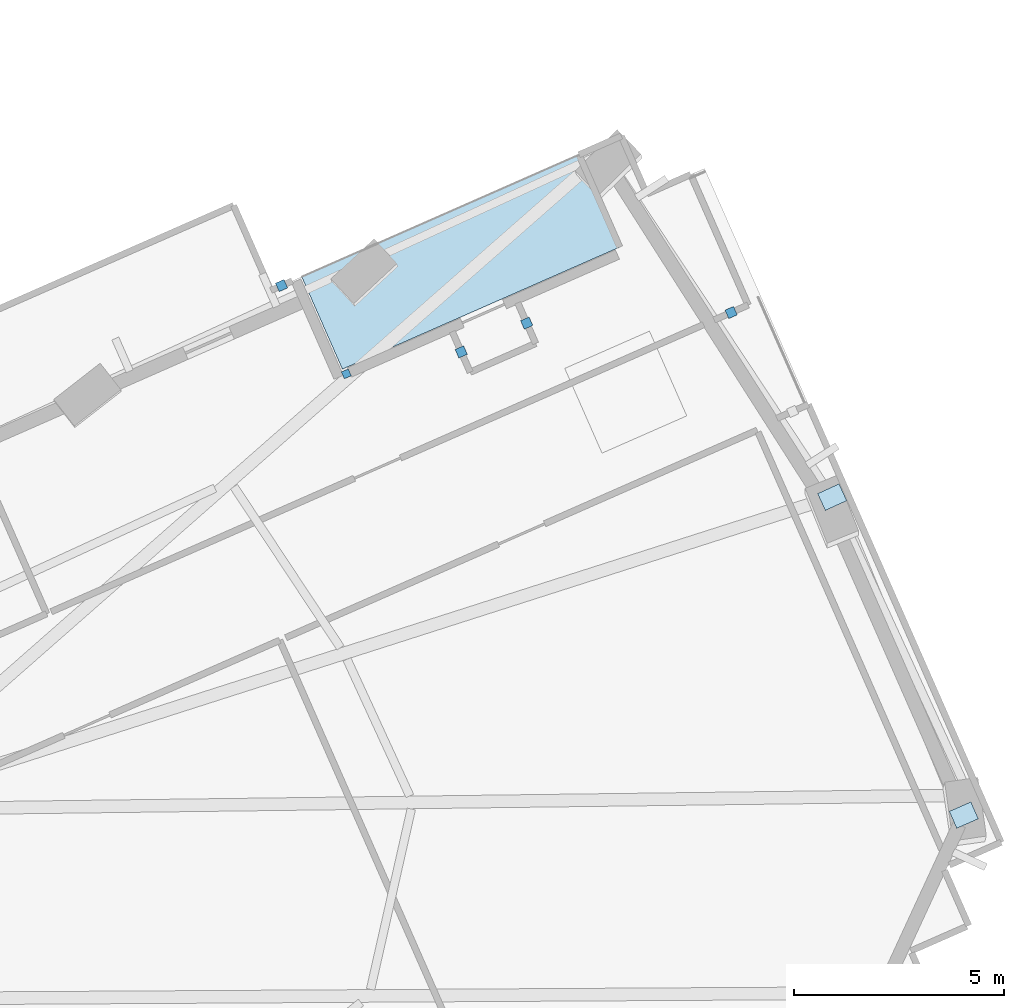
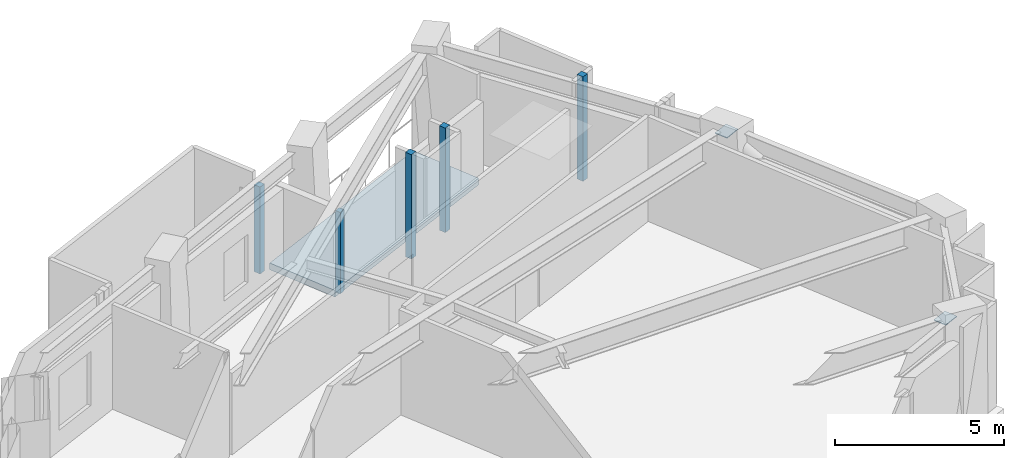
# One storey, part 6 of 15: 7 plates, 1 slab.
"""IFC4 building model written with IfcOpenShell, lengths in metres."""

import ifcopenshell
import ifcopenshell.guid

model = None  # the IFC model being written
_history = None  # IfcOwnerHistory: only IFC2X3 demands one
_inside = {}  # id of a spatial element -> (the spatial element, [elements in it])
_under = {}  # id of a project, library or spatial element -> (it, [spatial elements below it])
_declared = {}  # id of a project -> (the project, [libraries it declares])
_typed = {}  # id of a type object -> (the type object, [elements of that type])
_made_of = {}  # id of a material, layer set ... -> (it, [elements and type objects made of it])


def new_model(schema):
    """Start an empty IFC model of exactly this schema.

    Asked for "IFC4X3", IfcOpenShell would pick the latest addendum, in which some entities
    have other attributes; the version numbers below select the first issue.
    IFC2X3 requires an IfcOwnerHistory on every rooted entity: one is made here for all.
    """
    global model, _history
    if schema == "IFC4X3":
        model = ifcopenshell.file(schema_version=(4, 3, 0, 0))
    else:
        model = ifcopenshell.file(schema=schema)
    _inside.clear()
    _under.clear()
    _declared.clear()
    _typed.clear()
    _made_of.clear()
    _history = None
    if model.schema == "IFC2X3":
        org = make("IfcOrganization", Name="unknown")
        user = make(
            "IfcPersonAndOrganization",
            ThePerson=make("IfcPerson", FamilyName="unknown"),
            TheOrganization=org,
        )
        app = make(
            "IfcApplication",
            ApplicationDeveloper=org,
            Version="unknown",
            ApplicationFullName="unknown",
            ApplicationIdentifier="unknown",
        )
        _history = make(
            "IfcOwnerHistory",
            OwningUser=user,
            OwningApplication=app,
            ChangeAction="ADDED",
            CreationDate=0,
        )
    return model


def make(cls, **values):
    """One entity of the class cls with the attributes given. An attribute that is None is left unset."""
    return model.create_entity(
        cls, **{name: value for name, value in values.items() if value is not None}
    )


def rooted(cls, **values):
    """An entity with a GlobalId (a new one), such as an element, a storey or a relation."""
    return make(cls, GlobalId=ifcopenshell.guid.new(), OwnerHistory=_history, **values)


def si_unit(unit_type, name, prefix=None):
    """IfcSIUnit, for example si_unit("LENGTHUNIT", "METRE", prefix="MILLI")."""
    return make("IfcSIUnit", UnitType=unit_type, Prefix=prefix, Name=name)


def assignment(units):
    """IfcUnitAssignment: the units of a project."""
    return None if units is None else make("IfcUnitAssignment", Units=units)


def point(xyz):
    """IfcCartesianPoint."""
    return None if xyz is None else make("IfcCartesianPoint", Coordinates=xyz)


def direction(xyz):
    """IfcDirection."""
    return None if xyz is None else make("IfcDirection", DirectionRatios=xyz)


def frame(location, z_axis=None, x_axis=None):
    """IfcAxis2Placement3D, a coordinate frame: its origin and axes. An axis left out is left unset."""
    return make(
        "IfcAxis2Placement3D",
        Location=point(location),
        Axis=direction(z_axis),
        RefDirection=direction(x_axis),
    )


def frame_2d(location, x_axis=None):
    """IfcAxis2Placement2D, a coordinate frame in the plane: its origin and x axis."""
    return make(
        "IfcAxis2Placement2D", Location=point(location), RefDirection=direction(x_axis)
    )


def origin():
    """The frame at (0, 0, 0) with its axes left unset."""
    return frame((0.0, 0.0, 0.0))


def origin_2d():
    """The frame at (0, 0) in the plane with its x axis left unset."""
    return frame_2d((0.0, 0.0))


def place(relative_to, where):
    """IfcLocalPlacement: puts the frame where relative to a parent placement (None: the world)."""
    return make(
        "IfcLocalPlacement", PlacementRelTo=relative_to, RelativePlacement=where
    )


def context(
    kind, dimensions, precision=None, world=None, true_north=None, identifier=None
):
    """IfcGeometricRepresentationContext, for example the 3D "Model" context."""
    return make(
        "IfcGeometricRepresentationContext",
        ContextIdentifier=identifier,
        ContextType=kind,
        CoordinateSpaceDimension=dimensions,
        Precision=precision,
        WorldCoordinateSystem=world,
        TrueNorth=true_north,
    )


def subcontext(parent, identifier, kind, view, scale=None):
    """IfcGeometricRepresentationSubContext, for example "Body" below "Model"."""
    return make(
        "IfcGeometricRepresentationSubContext",
        ContextIdentifier=identifier,
        ContextType=kind,
        ParentContext=parent,
        TargetScale=scale,
        TargetView=view,
    )


def project(units=None, contexts=None):
    """IfcProject with its units and contexts."""
    return rooted(
        "IfcProject",
        Name="project",
        RepresentationContexts=contexts,
        UnitsInContext=assignment(units),
    )


def spatial(cls, under=None, at=None, **own):
    """A site, building, storey or space (cls), placed at a placement, below another one or the project."""
    s = rooted(cls, ObjectPlacement=at, **own)
    if under is not None:
        _under.setdefault(under.id(), (under, []))[1].append(s)
    return s


def polyline(points):
    """IfcPolyline through the points."""
    return make("IfcPolyline", Points=[point(p) for p in points])


def profile(cls, at=None, kind="AREA", **sizes):
    """A parametric profile (cls). Its sizes go by their IFC names, for example OverallWidth=200.0."""
    return make(cls, ProfileType=kind, Position=at, **sizes)


def rectangle(**sizes):
    """IfcRectangleProfileDef."""
    return profile("IfcRectangleProfileDef", **sizes)


def outline(outer, holes=None, kind="AREA"):
    """IfcArbitraryClosedProfileDef: a profile drawn as a closed curve; with holes, ...WithVoids."""
    if holes is None:
        return make("IfcArbitraryClosedProfileDef", ProfileType=kind, OuterCurve=outer)
    return make(
        "IfcArbitraryProfileDefWithVoids",
        ProfileType=kind,
        OuterCurve=outer,
        InnerCurves=holes,
    )


def extrude(swept, where, along, depth):
    """IfcExtrudedAreaSolid: the profile swept, set in the frame where, extruded along a direction by depth."""
    return make(
        "IfcExtrudedAreaSolid",
        SweptArea=swept,
        Position=where,
        ExtrudedDirection=direction(along),
        Depth=depth,
    )


def shape(context_of_items, identifier, shape_type, items):
    """IfcShapeRepresentation: the items that make up one representation, for example the "Body"."""
    return make(
        "IfcShapeRepresentation",
        ContextOfItems=context_of_items,
        RepresentationIdentifier=identifier,
        RepresentationType=shape_type,
        Items=items,
    )


def material(Name=None, Category=None):
    """IfcMaterial."""
    return make("IfcMaterial", Name=Name, Category=Category)


def layer(
    of_material, thickness, ventilated=None, Name=None, Category=None, Priority=None
):
    """IfcMaterialLayer: one layer of a wall or slab, of a material (None: an air gap)."""
    return make(
        "IfcMaterialLayer",
        Material=of_material,
        LayerThickness=thickness,
        IsVentilated=ventilated,
        Name=Name,
        Category=Category,
        Priority=Priority,
    )


def layer_set(layers, Name=None):
    """IfcMaterialLayerSet."""
    return make("IfcMaterialLayerSet", MaterialLayers=layers, LayerSetName=Name)


def made_of(thing, what):
    """Note that an element or type object is made of a material, layer set ...; save() writes the relation."""
    if what is not None:
        _made_of.setdefault(what.id(), (what, []))[1].append(thing)
    return thing


def type_object(cls, material=None, **own):
    """A type object (cls), such as IfcWallType, which elements share."""
    return made_of(rooted(cls, **own), material)


def element(
    cls,
    number,
    at=None,
    inside=None,
    cuts=None,
    type_object=None,
    material=None,
    context=None,
    identifier="Body",
    shape_type=None,
    held_by="IfcProductDefinitionShape",
    body=None,
    shapes=None,
    **own,
):
    """One element of the class cls, such as IfcWall. Its Tag is "e" and its number.

    at: its placement. inside: the storey or other place that contains it. cuts: it is an
    opening in that element (IfcRelVoidsElement). A single representation is given by context,
    identifier, shape_type and body (its items); several are given by shapes. held_by: the class
    of the entity that holds the representations. save() writes the other relations.
    """
    e = rooted(cls, Tag="e%d" % number, ObjectPlacement=at, **own)
    if body is not None:
        shapes = [shape(context, identifier, shape_type, body)]
    if shapes is not None:
        e.Representation = make(held_by, Representations=shapes)
    if inside is not None:
        _inside.setdefault(inside.id(), (inside, []))[1].append(e)
    if cuts is not None:
        rooted(
            "IfcRelVoidsElement", RelatingBuildingElement=cuts, RelatedOpeningElement=e
        )
    if type_object is not None:
        _typed.setdefault(type_object.id(), (type_object, []))[1].append(e)
    return made_of(e, material)


def aggregate(whole, parts):
    """IfcRelAggregates: a whole, such as a stair, and the parts it consists of."""
    return rooted("IfcRelAggregates", RelatingObject=whole, RelatedObjects=parts)


def save(model, path):
    """Write the relations noted so far, then the file.

    IfcRelAggregates (storeys below a building ...), IfcRelContainedInSpatialStructure (elements
    in a storey), IfcRelDefinesByType, IfcRelAssociatesMaterial and IfcRelDeclares: one each for
    every whole, place, type object, material and project.
    """
    for whole, parts in _under.values():
        aggregate(whole, parts)
    for where, things in _inside.values():
        rooted(
            "IfcRelContainedInSpatialStructure",
            RelatedElements=things,
            RelatingStructure=where,
        )
    for kind, things in _typed.values():
        rooted("IfcRelDefinesByType", RelatedObjects=things, RelatingType=kind)
    for what, things in _made_of.values():
        rooted("IfcRelAssociatesMaterial", RelatedObjects=things, RelatingMaterial=what)
    for by, libraries in _declared.values():
        rooted("IfcRelDeclares", RelatingContext=by, RelatedDefinitions=libraries)
    model.write(path)


model = new_model("IFC4")

# Units and contexts
model_context = context("Model", 3, precision=1e-05, world=origin(), true_north=direction((0.0, 1.0)))
body_context = subcontext(model_context, "Body", "Model", "MODEL_VIEW")
ifc_project = project(units=[si_unit("LENGTHUNIT", "METRE"), si_unit("AREAUNIT", "SQUARE_METRE"), si_unit("VOLUMEUNIT", "CUBIC_METRE"), si_unit("PLANEANGLEUNIT", "RADIAN"), si_unit("MASSUNIT", "GRAM", prefix="KILO")], contexts=[model_context])

# Site, building, storey
site_placement = place(None, origin())
site = spatial("IfcSite", under=ifc_project, at=site_placement, CompositionType="ELEMENT")
building_placement = place(site_placement, origin())
building = spatial("IfcBuilding", under=site, at=building_placement, Name="Gaonmaruhae Medical Tower", CompositionType="ELEMENT")
storey_placement = place(building_placement, frame((0.0, 0.0, 124.39990234375)))
storey = spatial("IfcBuildingStorey", under=building, at=storey_placement, Name="L29", CompositionType="ELEMENT", Elevation=124.39990234375)

# Plates
ifc_material_1 = material(Name="Steel HSA650 (650 MPa)", Category="steel")
ifc_layer_1 = layer(ifc_material_1, 0.028076171875)
ifc_layer_set_1 = layer_set([ifc_layer_1], Name="Steel HSA650 (650 MPa)")
plate_type_1 = type_object("IfcPlateType", Name="GP-02 Tube Brace End Cap Gusset Plate", PredefinedType="USERDEFINED", material=ifc_layer_set_1)
for number, where, z_axis, x_axis, name in (
    (1, (61.923583984375, 16.668701171875, 0.23583984375), (0.0, 0.0, 1.0), (0.915311479119, 0.402746689859, 0.0), "L29 Gusset Cap Plate PLT-L29-PBR-E01A"),
    (2, (58.795166015625, 24.2255859375, 3.51611328125), (0.0, 0.0, 1.0), (0.908508177527, 0.417867073801, 0.0), "L29 Gusset Cap Plate PLT-L29-PBR-E01B"),
):
    element("IfcPlate", number, at=place(storey_placement, frame(where, z_axis=z_axis, x_axis=x_axis)), inside=storey, type_object=plate_type_1, Name=name, ObjectType="GUSSET_PLATE", PredefinedType="USERDEFINED", context=body_context, shape_type="SweptSolid", body=[
        extrude(rectangle(XDim=0.56005859375, YDim=0.43994140625, at=origin_2d()), origin(), (0.0, 0.0, 1.0), 0.028076171875),
    ])
ifc_material_2 = material(Name="Anodised aluminium 6063-T6", Category="aluminium")
ifc_layer_2 = layer(ifc_material_2, 0.011962890625)
ifc_layer_set_2 = layer_set([ifc_layer_2], Name="Anodised aluminium 6063-T6")
plate_type_2 = type_object("IfcPlateType", Name="PP-01 Interior Partition Corner Stiffener Plate", PredefinedType="SHEET", material=ifc_layer_set_2)
plate_1_placement = place(storey_placement, frame((47.2470703125, 27.15576171875, 0.0), z_axis=(0.0, 0.0, 1.0), x_axis=(0.915311479119, 0.402746689859, 0.0)))
element("IfcPlate", 3, at=plate_1_placement, inside=storey, type_object=plate_type_2, Name="L29 Partition End Jamb Post Plate PLT-L29-ENDP-TERB-0", PredefinedType="SHEET", context=body_context, shape_type="SweptSolid", body=[
    extrude(rectangle(XDim=0.179931640625, YDim=0.179931640625, at=origin_2d()), origin(), (0.0, 0.0, 1.0), 2.945068359375),
])
plate_2_placement = place(storey_placement, frame((45.70849609375, 29.25390625, 0.0), z_axis=(0.0, 0.0, 1.0), x_axis=(0.914698878907, 0.404136067341, 0.0)))
element("IfcPlate", 4, at=plate_2_placement, inside=storey, type_object=plate_type_2, Name="L29 Partition Corner Stiffener Plate PLT-L29-JGP-PW065", PredefinedType="SHEET", context=body_context, shape_type="SweptSolid", body=[
    extrude(rectangle(XDim=0.219970703125, YDim=0.219970703125, at=origin_2d()), origin(), (0.0, 0.0, 1.0), 3.14501953125),
])
for number, where, z_axis, x_axis, name in (
    (5, (49.978515625, 27.677490234375, 0.0), (0.0, 0.0, 1.0), (0.40305019649, -0.915177872935, 0.0), "L29 Partition Corner Stiffener Plate PLT-L29-JGP-PW066"),
    (6, (51.534423828125, 28.362060546875, 0.0), (0.0, 0.0, 1.0), (-0.402714739215, 0.915325537073, 0.0), "L29 Partition Corner Stiffener Plate PLT-L29-JGP-PW068"),
    (7, (56.3935546875, 28.613525390625, 0.0), (0.0, 0.0, 1.0), (-0.915346621913, -0.40266681233, 0.0), "L29 Partition Corner Stiffener Plate PLT-L29-JGP-PW074"),
):
    element("IfcPlate", number, at=place(storey_placement, frame(where, z_axis=z_axis, x_axis=x_axis)), inside=storey, type_object=plate_type_2, Name=name, PredefinedType="SHEET", context=body_context, shape_type="SweptSolid", body=[
        extrude(rectangle(XDim=0.219970703125, YDim=0.219970703125, at=origin_2d()), origin(), (0.0, 0.0, 1.0), 3.780029296875),
    ])

# Slab
ifc_material_3 = material(Name="Concrete C40/50", Category="concrete")
ifc_layer_3 = layer(ifc_material_3, 0.239990234375)
ifc_layer_set_3 = layer_set([ifc_layer_3], Name="Concrete C40/50")
slab_type = type_object("IfcSlabType", Name="TS-240 Sky Garden & Recovery Terrace Slab", PredefinedType="FLOOR", material=ifc_layer_set_3)
slab_placement = place(storey_placement, frame((0.0, 0.0, -0.239990234375)))
element("IfcSlab", 8, at=slab_placement, inside=storey, type_object=slab_type, Name="L29 Outdoor Recovery Terrace Slab", PredefinedType="FLOOR", context=body_context, shape_type="SweptSolid", body=[
    extrude(outline(polyline([(47.154052734375, 27.267822265625), (53.744140625, 30.16748046875), (52.777587890625, 32.3642578125), (46.187255859375, 29.464599609375), (47.154052734375, 27.267822265625)])), origin(), (0.0, 0.0, 1.0), 0.239990234375),
])

save(model, "model.ifc")
